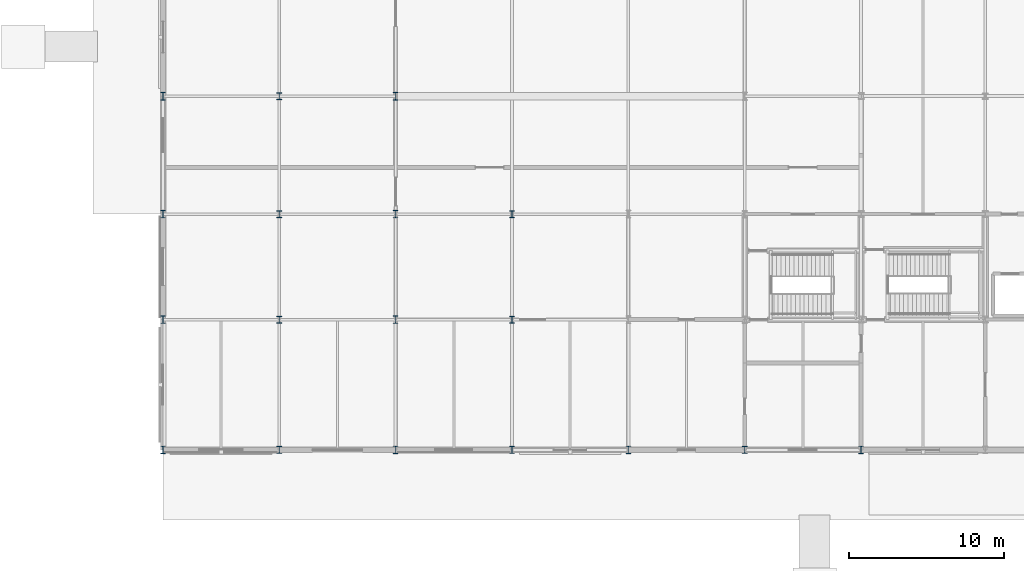
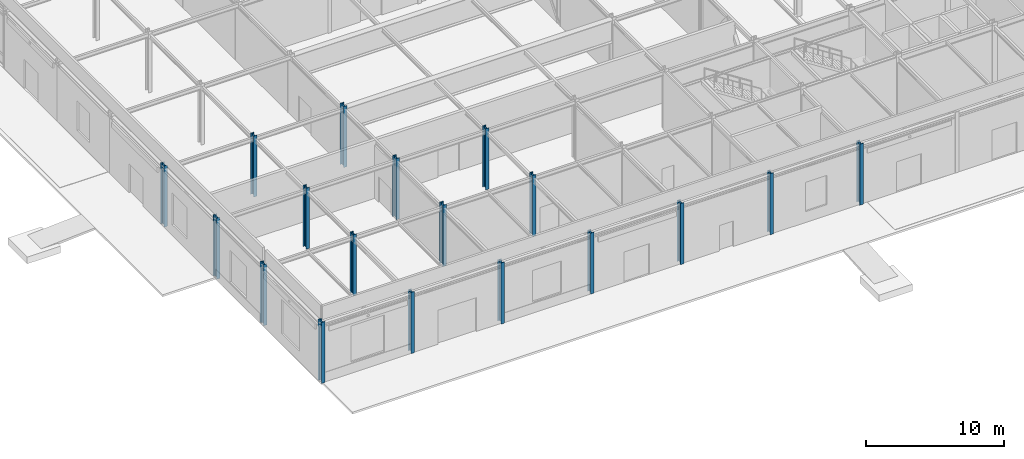
# One storey, part 1 of 89: 18 columns.
"""IFC4 building model written with IfcOpenShell, lengths in metres."""

from ifc_helpers import new_model, si_unit, direction, frame, origin, origin_2d, place, context, subcontext, project, spatial, i_section, extrude, material, material_profile, profile_set, type_object, element, save


model = new_model("IFC4")

# Units and contexts
model_context = context("Model", 3, precision=1e-05, world=origin(), true_north=direction((0.0, 1.0)))
body_context = subcontext(model_context, "Body", "Model", "MODEL_VIEW")
ifc_project = project(units=[si_unit("LENGTHUNIT", "METRE"), si_unit("AREAUNIT", "SQUARE_METRE"), si_unit("VOLUMEUNIT", "CUBIC_METRE"), si_unit("PLANEANGLEUNIT", "RADIAN"), si_unit("MASSUNIT", "GRAM", prefix="KILO")], contexts=[model_context])

# Site, building, storey
site_placement = place(None, origin())
site = spatial("IfcSite", under=ifc_project, at=site_placement, CompositionType="ELEMENT")
building_placement = place(site_placement, origin())
building = spatial("IfcBuilding", under=site, at=building_placement, Name="Shalkamar Park Central Library", CompositionType="ELEMENT")
storey_placement = place(building_placement, origin())
storey = spatial("IfcBuildingStorey", under=building, at=storey_placement, Name="L01", CompositionType="ELEMENT", Elevation=0.0)

# Columns
ifc_material = material(Name="Steel S355", Category="steel")
ifc_material_profile_1 = material_profile(ifc_material, i_section(OverallWidth=0.300048828125, OverallDepth=0.449951171875, WebThickness=0.013916015625, FlangeThickness=0.02587890625, FilletRadius=0.027099609375, at=origin_2d()), Name="HEB 450")
ifc_profile_set_1 = profile_set([ifc_material_profile_1], Name="Steel S355")
column_type_1 = type_object("IfcColumnType", Name="Column Steel HEB450", PredefinedType="COLUMN", material=ifc_profile_set_1)
for number, where, z_axis, x_axis, name in (
    (1, (127.5, 240.0, 0.0), (0.0, 0.0, 1.0), (1.0, 0.0, 0.0), "Column 02/A (L01)"),
    (2, (127.5, 248.39990234375, 0.0), (0.0, 0.0, 1.0), (1.0, 0.0, 0.0), "Column 02/B (L01)"),
    (3, (127.5, 255.199951171875, 0.0), (0.0, 0.0, 1.0), (1.0, 0.0, 0.0), "Column 02/C (L01)"),
    (4, (127.5, 262.800048828125, 0.0), (0.0, 0.0, 1.0), (1.0, 0.0, 0.0), "Column 02/D (L01)"),
    (5, (142.5, 240.0, 0.0), (0.0, 0.0, 1.0), (1.0, 0.0, 0.0), "Column 04/A (L01)"),
    (6, (142.5, 248.39990234375, 0.0), (0.0, 0.0, 1.0), (1.0, 0.0, 0.0), "Column 04/B (L01)"),
    (7, (142.5, 255.199951171875, 0.0), (0.0, 0.0, 1.0), (1.0, 0.0, 0.0), "Column 04/C (L01)"),
    (8, (157.5, 240.0, 0.0), (0.0, 0.0, 1.0), (1.0, 0.0, 0.0), "Column 06/A (L01)"),
):
    element("IfcColumn", number, at=place(storey_placement, frame(where, z_axis=z_axis, x_axis=x_axis)), inside=storey, type_object=column_type_1, Name=name, PredefinedType="COLUMN", context=body_context, shape_type="SweptSolid", body=[
        extrude(i_section(OverallWidth=0.300048828125, OverallDepth=0.449951171875, WebThickness=0.013916015625, FlangeThickness=0.02587890625, FilletRadius=0.027099609375, at=origin_2d()), origin(), (0.0, 0.0, 1.0), 5.39990234375),
    ])
ifc_material_profile_2 = material_profile(ifc_material, i_section(OverallWidth=0.300048828125, OverallDepth=0.5, WebThickness=0.014404296875, FlangeThickness=0.028076171875, FilletRadius=0.027099609375, at=origin_2d()), Name="HEB 500")
ifc_profile_set_2 = profile_set([ifc_material_profile_2], Name="Steel S355")
column_type_2 = type_object("IfcColumnType", Name="Column Steel HEB500", PredefinedType="COLUMN", material=ifc_profile_set_2)
for number, where, z_axis, x_axis, name in (
    (9, (120.0, 240.0, 0.0), (0.0, 0.0, 1.0), (1.0, 0.0, 0.0), "Column 01/A (L01)"),
    (10, (120.0, 248.39990234375, 0.0), (0.0, 0.0, 1.0), (1.0, 0.0, 0.0), "Column 01/B (L01)"),
    (11, (120.0, 255.199951171875, 0.0), (0.0, 0.0, 1.0), (1.0, 0.0, 0.0), "Column 01/C (L01)"),
    (12, (120.0, 262.800048828125, 0.0), (0.0, 0.0, 1.0), (1.0, 0.0, 0.0), "Column 01/D (L01)"),
    (13, (135.0, 240.0, 0.0), (0.0, 0.0, 1.0), (1.0, 0.0, 0.0), "Column 03/A (L01)"),
    (14, (135.0, 248.39990234375, 0.0), (0.0, 0.0, 1.0), (1.0, 0.0, 0.0), "Column 03/B (L01)"),
    (15, (135.0, 255.199951171875, 0.0), (0.0, 0.0, 1.0), (1.0, 0.0, 0.0), "Column 03/C (L01)"),
    (16, (135.0, 262.800048828125, 0.0), (0.0, 0.0, 1.0), (1.0, 0.0, 0.0), "Column 03/D (L01)"),
    (17, (150.0, 240.0, 0.0), (0.0, 0.0, 1.0), (1.0, 0.0, 0.0), "Column 05/A (L01)"),
    (18, (165.0, 240.0, 0.0), (0.0, 0.0, 1.0), (1.0, 0.0, 0.0), "Column 07/A (L01)"),
):
    element("IfcColumn", number, at=place(storey_placement, frame(where, z_axis=z_axis, x_axis=x_axis)), inside=storey, type_object=column_type_2, Name=name, PredefinedType="COLUMN", context=body_context, shape_type="SweptSolid", body=[
        extrude(i_section(OverallWidth=0.300048828125, OverallDepth=0.5, WebThickness=0.014404296875, FlangeThickness=0.028076171875, FilletRadius=0.027099609375, at=origin_2d()), origin(), (0.0, 0.0, 1.0), 5.39990234375),
    ])

save(model, "model.ifc")
